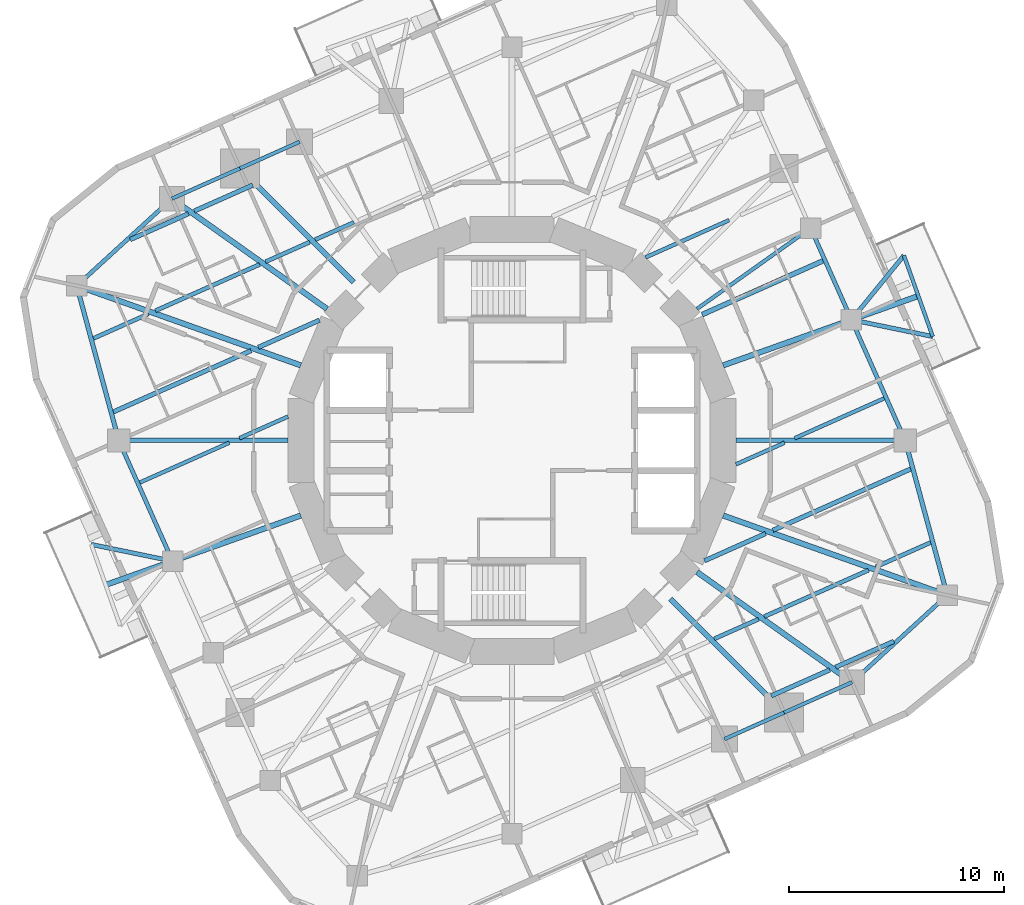
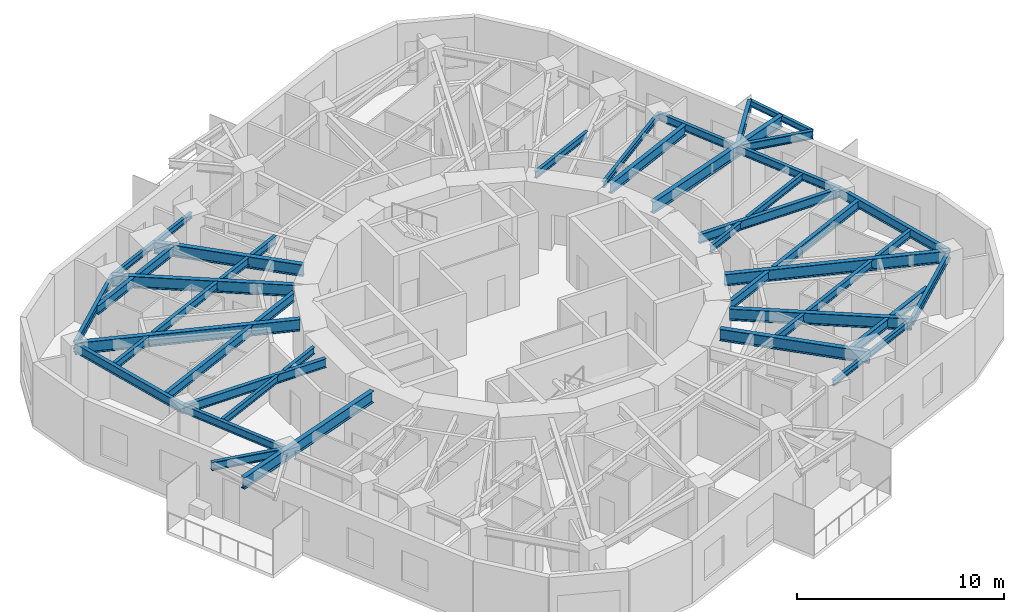
# One storey, part 2 of 12: 47 beams.
"""IFC4 building model written with IfcOpenShell, lengths in metres."""

from ifc_helpers import new_model, si_unit, direction, frame, origin, origin_2d, place, context, subcontext, project, spatial, i_section, extrude, material, material_profile, profile_set, type_object, element, save


model = new_model("IFC4")

# Units and contexts
model_context = context("Model", 3, precision=1e-05, world=origin(), true_north=direction((0.0, 1.0)))
body_context = subcontext(model_context, "Body", "Model", "MODEL_VIEW")
ifc_project = project(units=[si_unit("LENGTHUNIT", "METRE"), si_unit("AREAUNIT", "SQUARE_METRE"), si_unit("VOLUMEUNIT", "CUBIC_METRE"), si_unit("PLANEANGLEUNIT", "RADIAN"), si_unit("MASSUNIT", "GRAM", prefix="KILO")], contexts=[model_context])

# Site, building, storey
site_placement = place(None, origin())
site = spatial("IfcSite", under=ifc_project, at=site_placement, CompositionType="ELEMENT")
building_placement = place(site_placement, origin())
building = spatial("IfcBuilding", under=site, at=building_placement, Name="Nakasero Lantern House", CompositionType="ELEMENT")
storey_placement = place(building_placement, frame((0.0, 0.0, 194.0)))
storey = spatial("IfcBuildingStorey", under=building, at=storey_placement, Name="L47", CompositionType="ELEMENT", Elevation=194.0)

# Beams
ifc_material_1 = material(Name="Steel S355", Category="steel")
ifc_material_profile_1 = material_profile(ifc_material_1, i_section(OverallWidth=0.199462890625, OverallDepth=0.491943359375, WebThickness=0.01806640625, FlangeThickness=0.031982421875, FilletRadius=0.01025390625, at=origin_2d()), Name="UB 457x191x161")
ifc_profile_set_1 = profile_set([ifc_material_profile_1], Name="Steel S355")
beam_type_1 = type_object("IfcBeamType", Name="Balcony splay beam UB 457x191x161", PredefinedType="BEAM", material=ifc_profile_set_1)
beam_1_placement = place(storey_placement, frame((15.781982421875, 5.611328125, 3.404052734375), z_axis=(0.632165712937, 0.774833215206, 0.0), x_axis=(-0.774833215206, 0.632165712937, 0.0)))
element("IfcBeam", 1, at=beam_1_placement, inside=storey, type_object=beam_type_1, Name="Balcony splay beam L48 B5-C04A", PredefinedType="BEAM", context=body_context, shape_type="SweptSolid", body=[
    extrude(i_section(OverallWidth=0.199462890625, OverallDepth=0.491943359375, WebThickness=0.01806640625, FlangeThickness=0.031982421875, FilletRadius=0.01025390625, at=origin_2d()), origin(), (0.0, 0.0, 1.0), 3.85888671875),
])
for number, where, z_axis, x_axis, name in (
    (2, (15.781982421875, 5.611328125, 3.404052734375), (0.979420272605, -0.201831438605, 0.0), (0.201831438605, 0.979420272605, 0.0), "Balcony splay beam L48 B5-C04B"),
    (3, (-15.781982421875, -5.611328125, 3.404052734375), (-0.979420272605, 0.201831438605, 0.0), (-0.201831438605, -0.979420272605, 0.0), "Balcony splay beam L48 B5-C16B"),
):
    element("IfcBeam", number, at=place(storey_placement, frame(where, z_axis=z_axis, x_axis=x_axis)), inside=storey, type_object=beam_type_1, Name=name, PredefinedType="BEAM", context=body_context, shape_type="SweptSolid", body=[
        extrude(i_section(OverallWidth=0.199462890625, OverallDepth=0.491943359375, WebThickness=0.01806640625, FlangeThickness=0.031982421875, FilletRadius=0.01025390625, at=origin_2d()), origin(), (0.0, 0.0, 1.0), 3.858642578125),
    ])
ifc_material_2 = material(Name="Steel S355", Category="steel")
ifc_material_profile_2 = material_profile(ifc_material_2, i_section(OverallWidth=0.17138671875, OverallDepth=0.35498046875, WebThickness=0.00732421875, FlangeThickness=0.011474609375, FilletRadius=0.01025390625, at=origin_2d()), Name="UB 356x171x51")
ifc_profile_set_2 = profile_set([ifc_material_profile_2], Name="Steel S355")
beam_type_2 = type_object("IfcBeamType", Name="Balcony tie beam UB 356x171x51", PredefinedType="BEAM", material=ifc_profile_set_2)
beam_2_placement = place(storey_placement, frame((18.221435546875, 8.601318359375, 3.472412109375), z_axis=(0.334971134582, -0.94222839004, 0.0), x_axis=(0.94222839004, 0.334971134582, 0.0)))
element("IfcBeam", 4, at=beam_2_placement, inside=storey, type_object=beam_type_2, Name="Balcony tie beam L48 B5-C04", PredefinedType="BEAM", context=body_context, shape_type="SweptSolid", body=[
    extrude(i_section(OverallWidth=0.17138671875, OverallDepth=0.35498046875, WebThickness=0.00732421875, FlangeThickness=0.011474609375, FilletRadius=0.01025390625, at=origin_2d()), origin(), (0.0, 0.0, 1.0), 4.0),
])
ifc_material_3 = material(Name="Steel S355", Category="steel")
ifc_material_profile_3 = material_profile(ifc_material_3, i_section(OverallWidth=0.177978515625, OverallDepth=0.406494140625, WebThickness=0.0078125, FlangeThickness=0.0126953125, FilletRadius=0.01025390625, at=origin_2d()), Name="UB 406x178x60")
ifc_profile_set_3 = profile_set([ifc_material_profile_3], Name="Steel S355")
beam_type_3 = type_object("IfcBeamType", Name="Infill beam UB 406x178x60", PredefinedType="JOIST", material=ifc_profile_set_3)
beam_3_placement = place(storey_placement, frame((10.407958984375, -1.113037109375, 3.44677734375), z_axis=(0.913531019811, 0.406769069427, 0.0), x_axis=(-0.406769069427, 0.913531019811, 0.0)))
element("IfcBeam", 5, at=beam_3_placement, inside=storey, type_object=beam_type_3, Name="Infill beam L48 06.3", PredefinedType="JOIST", context=body_context, shape_type="SweptSolid", body=[
    extrude(i_section(OverallWidth=0.177978515625, OverallDepth=0.406494140625, WebThickness=0.0078125, FlangeThickness=0.0126953125, FilletRadius=0.01025390625, at=origin_2d()), origin(), (0.0, 0.0, 1.0), 2.478271484375),
])
for number, where, z_axis, x_axis, name in (
    (6, (13.1435546875, 0.10498046875, 3.44677734375), (0.913537236337, 0.406755107929, 0.0), (-0.406755107929, 0.913537236337, 0.0), "Infill beam L48 06.4"),
    (7, (-17.30419921875, -1.95751953125, 3.44677734375), (0.913537236337, 0.406755107929, 0.0), (-0.406755107929, 0.913537236337, 0.0), "Infill beam L48 09.1"),
):
    element("IfcBeam", number, at=place(storey_placement, frame(where, z_axis=z_axis, x_axis=x_axis)), inside=storey, type_object=beam_type_3, Name=name, PredefinedType="JOIST", context=body_context, shape_type="SweptSolid", body=[
        extrude(i_section(OverallWidth=0.177978515625, OverallDepth=0.406494140625, WebThickness=0.0078125, FlangeThickness=0.0126953125, FilletRadius=0.01025390625, at=origin_2d()), origin(), (0.0, 0.0, 1.0), 4.554443359375),
    ])
beam_4_placement = place(storey_placement, frame((-12.671875, 0.10498046875, 3.44677734375), z_axis=(0.913531019811, 0.406769069427, 0.0), x_axis=(-0.406769069427, 0.913531019811, 0.0)))
element("IfcBeam", 8, at=beam_4_placement, inside=storey, type_object=beam_type_3, Name="Infill beam L48 09.2", PredefinedType="JOIST", context=body_context, shape_type="SweptSolid", body=[
    extrude(i_section(OverallWidth=0.177978515625, OverallDepth=0.406494140625, WebThickness=0.0078125, FlangeThickness=0.0126953125, FilletRadius=0.01025390625, at=origin_2d()), origin(), (0.0, 0.0, 1.0), 2.478271484375),
])
beam_5_placement = place(storey_placement, frame((6.2080078125, 8.5107421875, 3.44677734375), z_axis=(0.91354134882, 0.406745871517, 0.0), x_axis=(-0.406745871517, 0.91354134882, 0.0)))
element("IfcBeam", 9, at=beam_5_placement, inside=storey, type_object=beam_type_3, Name="Infill beam L48 09.3", PredefinedType="JOIST", context=body_context, shape_type="SweptSolid", body=[
    extrude(i_section(OverallWidth=0.177978515625, OverallDepth=0.406494140625, WebThickness=0.0078125, FlangeThickness=0.0126953125, FilletRadius=0.01025390625, at=origin_2d()), origin(), (0.0, 0.0, 1.0), 4.250732421875),
])
ifc_material_4 = material(Name="Steel S355", Category="steel")
ifc_material_profile_4 = material_profile(ifc_material_4, i_section(OverallWidth=0.18994140625, OverallDepth=0.453369140625, WebThickness=0.008544921875, FlangeThickness=0.0126953125, FilletRadius=0.01025390625, at=origin_2d()), Name="UB 457x191x67")
ifc_profile_set_4 = profile_set([ifc_material_profile_4], Name="Steel S355")
beam_type_4 = type_object("IfcBeamType", Name="Infill beam UB 457x191x67", PredefinedType="JOIST", material=ifc_profile_set_4)
beam_6_placement = place(storey_placement, frame((9.403564453125, -9.22265625, 3.42333984375), z_axis=(0.913516376313, 0.406801954529, 0.0), x_axis=(-0.406801954529, 0.913516376313, 0.0)))
element("IfcBeam", 10, at=beam_6_placement, inside=storey, type_object=beam_type_4, Name="Infill beam L48 04.6", PredefinedType="JOIST", context=body_context, shape_type="SweptSolid", body=[
    extrude(i_section(OverallWidth=0.18994140625, OverallDepth=0.453369140625, WebThickness=0.008544921875, FlangeThickness=0.0126953125, FilletRadius=0.01025390625, at=origin_2d()), origin(), (0.0, 0.0, 1.0), 2.2529296875),
])
beam_7_placement = place(storey_placement, frame((11.73095703125, -8.186279296875, 3.42333984375), z_axis=(0.913558956665, 0.406706322421, 0.0), x_axis=(-0.406706322421, 0.913558956665, 0.0)))
element("IfcBeam", 11, at=beam_7_placement, inside=storey, type_object=beam_type_4, Name="Infill beam L48 04.7", PredefinedType="JOIST", context=body_context, shape_type="SweptSolid", body=[
    extrude(i_section(OverallWidth=0.18994140625, OverallDepth=0.453369140625, WebThickness=0.008544921875, FlangeThickness=0.0126953125, FilletRadius=0.01025390625, at=origin_2d()), origin(), (0.0, 0.0, 1.0), 5.3046875),
])
beam_8_placement = place(storey_placement, frame((16.913330078125, -5.87890625, 3.42333984375), z_axis=(0.913544199752, 0.406739468332, 0.0), x_axis=(-0.406739468332, 0.913544199752, 0.0)))
element("IfcBeam", 12, at=beam_8_placement, inside=storey, type_object=beam_type_4, Name="Infill beam L48 04.8", PredefinedType="JOIST", context=body_context, shape_type="SweptSolid", body=[
    extrude(i_section(OverallWidth=0.18994140625, OverallDepth=0.453369140625, WebThickness=0.008544921875, FlangeThickness=0.0126953125, FilletRadius=0.01025390625, at=origin_2d()), origin(), (0.0, 0.0, 1.0), 2.788818359375),
])
beam_9_placement = place(storey_placement, frame((-19.46142578125, 4.744384765625, 3.42333984375), z_axis=(0.913540637242, 0.4067474697, 0.0), x_axis=(-0.4067474697, 0.913540637242, 0.0)))
element("IfcBeam", 13, at=beam_9_placement, inside=storey, type_object=beam_type_4, Name="Infill beam L48 11.1", PredefinedType="JOIST", context=body_context, shape_type="SweptSolid", body=[
    extrude(i_section(OverallWidth=0.18994140625, OverallDepth=0.453369140625, WebThickness=0.008544921875, FlangeThickness=0.0126953125, FilletRadius=0.01025390625, at=origin_2d()), origin(), (0.0, 0.0, 1.0), 2.789306640625),
])
beam_10_placement = place(storey_placement, frame((-16.5771484375, 6.02880859375, 3.42333984375), z_axis=(0.913558956665, 0.406706322421, 0.0), x_axis=(-0.406706322421, 0.913558956665, 0.0)))
element("IfcBeam", 14, at=beam_10_placement, inside=storey, type_object=beam_type_4, Name="Infill beam L48 11.2", PredefinedType="JOIST", context=body_context, shape_type="SweptSolid", body=[
    extrude(i_section(OverallWidth=0.18994140625, OverallDepth=0.453369140625, WebThickness=0.008544921875, FlangeThickness=0.0126953125, FilletRadius=0.01025390625, at=origin_2d()), origin(), (0.0, 0.0, 1.0), 5.3046875),
])
beam_11_placement = place(storey_placement, frame((-11.461669921875, 8.30615234375, 3.42333984375), z_axis=(0.913516376313, 0.406801954529, 0.0), x_axis=(-0.406801954529, 0.913516376313, 0.0)))
element("IfcBeam", 15, at=beam_11_placement, inside=storey, type_object=beam_type_4, Name="Infill beam L48 11.3", PredefinedType="JOIST", context=body_context, shape_type="SweptSolid", body=[
    extrude(i_section(OverallWidth=0.18994140625, OverallDepth=0.453369140625, WebThickness=0.008544921875, FlangeThickness=0.0126953125, FilletRadius=0.01025390625, at=origin_2d()), origin(), (0.0, 0.0, 1.0), 2.2529296875),
])
beam_12_placement = place(storey_placement, frame((-9.153076171875, 9.333984375, 3.42333984375), z_axis=(0.913536028639, 0.406757820304, 0.0), x_axis=(-0.406757820304, 0.913536028639, 0.0)))
element("IfcBeam", 16, at=beam_12_placement, inside=storey, type_object=beam_type_4, Name="Infill beam L48 11.4", PredefinedType="JOIST", context=body_context, shape_type="SweptSolid", body=[
    extrude(i_section(OverallWidth=0.18994140625, OverallDepth=0.453369140625, WebThickness=0.008544921875, FlangeThickness=0.0126953125, FilletRadius=0.01025390625, at=origin_2d()), origin(), (0.0, 0.0, 1.0), 1.974609375),
])
ifc_material_5 = material(Name="Steel S355", Category="steel")
ifc_material_profile_5 = material_profile(ifc_material_5, i_section(OverallWidth=0.2099609375, OverallDepth=0.53662109375, WebThickness=0.0107421875, FlangeThickness=0.017333984375, FilletRadius=0.0126953125, at=origin_2d()), Name="UB 533x210x101")
ifc_profile_set_5 = profile_set([ifc_material_profile_5], Name="Steel S355")
beam_type_5 = type_object("IfcBeamType", Name="Infill beam UB 533x210x101", PredefinedType="JOIST", material=ifc_profile_set_5)
beam_13_placement = place(storey_placement, frame((12.054443359375, -11.87353515625, 3.381591796875), z_axis=(0.913551039628, 0.406724105501, 0.0), x_axis=(-0.406724105501, 0.913551039628, 0.0)))
element("IfcBeam", 17, at=beam_13_placement, inside=storey, type_object=beam_type_5, Name="Infill beam L48 03.2", PredefinedType="JOIST", context=body_context, shape_type="SweptSolid", body=[
    extrude(i_section(OverallWidth=0.2099609375, OverallDepth=0.53662109375, WebThickness=0.0107421875, FlangeThickness=0.017333984375, FilletRadius=0.0126953125, at=origin_2d()), origin(), (0.0, 0.0, 1.0), 2.977783203125),
])
for number, where, z_axis, x_axis, name in (
    (18, (15.044189453125, -10.54248046875, 3.381591796875), (0.91353278913, 0.406765095827, 0.0), (-0.406765095827, 0.91353278913, 0.0), "Infill beam L48 03.3"),
    (19, (-17.751708984375, 9.3369140625, 3.381591796875), (0.91353278913, 0.406765095827, 0.0), (-0.406765095827, 0.91353278913, 0.0), "Infill beam L48 12.1"),
):
    element("IfcBeam", number, at=place(storey_placement, frame(where, z_axis=z_axis, x_axis=x_axis)), inside=storey, type_object=beam_type_5, Name=name, PredefinedType="JOIST", context=body_context, shape_type="SweptSolid", body=[
        extrude(i_section(OverallWidth=0.2099609375, OverallDepth=0.53662109375, WebThickness=0.0107421875, FlangeThickness=0.017333984375, FilletRadius=0.0126953125, at=origin_2d()), origin(), (0.0, 0.0, 1.0), 2.9638671875),
    ])
beam_14_placement = place(storey_placement, frame((-14.77490234375, 10.662353515625, 3.381591796875), z_axis=(0.913551039628, 0.406724105501, 0.0), x_axis=(-0.406724105501, 0.913551039628, 0.0)))
element("IfcBeam", 20, at=beam_14_placement, inside=storey, type_object=beam_type_5, Name="Infill beam L48 12.2", PredefinedType="JOIST", context=body_context, shape_type="SweptSolid", body=[
    extrude(i_section(OverallWidth=0.2099609375, OverallDepth=0.53662109375, WebThickness=0.0107421875, FlangeThickness=0.017333984375, FilletRadius=0.0126953125, at=origin_2d()), origin(), (0.0, 0.0, 1.0), 2.977783203125),
])
ifc_material_6 = material(Name="Steel S355", Category="steel")
ifc_material_profile_6 = material_profile(ifc_material_6, i_section(OverallWidth=0.208740234375, OverallDepth=0.5283203125, WebThickness=0.009521484375, FlangeThickness=0.01318359375, FilletRadius=0.0126953125, at=origin_2d()), Name="UB 533x210x82")
ifc_profile_set_6 = profile_set([ifc_material_profile_6], Name="Steel S355")
beam_type_6 = type_object("IfcBeamType", Name="Infill beam UB 533x210x82", PredefinedType="JOIST", material=ifc_profile_set_6)
beam_15_placement = place(storey_placement, frame((8.9482421875, -5.593994140625, 3.3857421875), z_axis=(0.913555928833, 0.406713123582, 0.0), x_axis=(-0.406713123582, 0.913555928833, 0.0)))
element("IfcBeam", 21, at=beam_15_placement, inside=storey, type_object=beam_type_6, Name="Infill beam L48 05.4", PredefinedType="JOIST", context=body_context, shape_type="SweptSolid", body=[
    extrude(i_section(OverallWidth=0.208740234375, OverallDepth=0.5283203125, WebThickness=0.009521484375, FlangeThickness=0.01318359375, FilletRadius=0.0126953125, at=origin_2d()), origin(), (0.0, 0.0, 1.0), 3.113525390625),
])
beam_16_placement = place(storey_placement, frame((12.12890625, -4.177978515625, 3.3857421875), z_axis=(0.913538442343, 0.406752399332, 0.0), x_axis=(-0.406752399332, 0.913538442343, 0.0)))
element("IfcBeam", 22, at=beam_16_placement, inside=storey, type_object=beam_type_6, Name="Infill beam L48 05.5", PredefinedType="JOIST", context=body_context, shape_type="SweptSolid", body=[
    extrude(i_section(OverallWidth=0.208740234375, OverallDepth=0.5283203125, WebThickness=0.009521484375, FlangeThickness=0.01318359375, FilletRadius=0.0126953125, at=origin_2d()), origin(), (0.0, 0.0, 1.0), 7.00927734375),
])
beam_17_placement = place(storey_placement, frame((-18.53271484375, 1.32666015625, 3.3857421875), z_axis=(0.913537025225, 0.406755582067, 0.0), x_axis=(-0.406755582067, 0.913537025225, 0.0)))
element("IfcBeam", 23, at=beam_17_placement, inside=storey, type_object=beam_type_6, Name="Infill beam L48 10.1", PredefinedType="JOIST", context=body_context, shape_type="SweptSolid", body=[
    extrude(i_section(OverallWidth=0.208740234375, OverallDepth=0.5283203125, WebThickness=0.009521484375, FlangeThickness=0.01318359375, FilletRadius=0.0126953125, at=origin_2d()), origin(), (0.0, 0.0, 1.0), 7.010009765625),
])
beam_18_placement = place(storey_placement, frame((-11.792724609375, 4.32763671875, 3.3857421875), z_axis=(0.913555928833, 0.406713123582, 0.0), x_axis=(-0.406713123582, 0.913555928833, 0.0)))
element("IfcBeam", 24, at=beam_18_placement, inside=storey, type_object=beam_type_6, Name="Infill beam L48 10.2", PredefinedType="JOIST", context=body_context, shape_type="SweptSolid", body=[
    extrude(i_section(OverallWidth=0.208740234375, OverallDepth=0.5283203125, WebThickness=0.009521484375, FlangeThickness=0.01318359375, FilletRadius=0.0126953125, at=origin_2d()), origin(), (0.0, 0.0, 1.0), 3.113525390625),
])
ifc_material_7 = material(Name="Steel S355", Category="steel")
ifc_material_profile_7 = material_profile(ifc_material_7, i_section(OverallWidth=0.22900390625, OverallDepth=0.6123046875, WebThickness=0.011962890625, FlangeThickness=0.01953125, FilletRadius=0.0126953125, at=origin_2d()), Name="UB 610x229x125")
ifc_profile_set_7 = profile_set([ifc_material_profile_7], Name="Steel S355")
beam_type_7 = type_object("IfcBeamType", Name="Infill beam UB 610x229x125", PredefinedType="JOIST", material=ifc_profile_set_7)
beam_19_placement = place(storey_placement, frame((8.84130859375, 5.85205078125, 3.343994140625), z_axis=(0.913552627294, 0.406720539393, 0.0), x_axis=(-0.406720539393, 0.913552627294, 0.0)))
element("IfcBeam", 25, at=beam_19_placement, inside=storey, type_object=beam_type_7, Name="Infill beam L48 08.1", PredefinedType="JOIST", context=body_context, shape_type="SweptSolid", body=[
    extrude(i_section(OverallWidth=0.22900390625, OverallDepth=0.6123046875, WebThickness=0.011962890625, FlangeThickness=0.01953125, FilletRadius=0.0126953125, at=origin_2d()), origin(), (0.0, 0.0, 1.0), 6.14794921875),
])
ifc_material_8 = material(Name="Steel S355", Category="steel")
ifc_material_profile_8 = material_profile(ifc_material_8, i_section(OverallWidth=0.17138671875, OverallDepth=0.35498046875, WebThickness=0.00732421875, FlangeThickness=0.011474609375, FilletRadius=0.01025390625, at=origin_2d()), Name="UB 356x171x51")
ifc_profile_set_8 = profile_set([ifc_material_profile_8], Name="Steel S355")
beam_type_8 = type_object("IfcBeamType", Name="Primary beam UB 356x171x51, span 6 to 9 m", PredefinedType="BEAM", material=ifc_profile_set_8)
beam_20_placement = place(storey_placement, frame((13.884521484375, 9.87353515625, 3.472412109375), z_axis=(-0.8149430702, -0.57954101868, 0.0), x_axis=(0.57954101868, -0.8149430702, 0.0)))
element("IfcBeam", 26, at=beam_20_placement, inside=storey, type_object=beam_type_8, Name="Primary beam L48 B5-C05", PredefinedType="BEAM", context=body_context, shape_type="SweptSolid", body=[
    extrude(i_section(OverallWidth=0.17138671875, OverallDepth=0.35498046875, WebThickness=0.00732421875, FlangeThickness=0.011474609375, FilletRadius=0.01025390625, at=origin_2d()), origin(), (0.0, 0.0, 1.0), 6.48193359375),
])
ifc_material_9 = material(Name="Steel S355", Category="steel")
ifc_material_profile_9 = material_profile(ifc_material_9, i_section(OverallWidth=0.2099609375, OverallDepth=0.53662109375, WebThickness=0.0107421875, FlangeThickness=0.017333984375, FilletRadius=0.0126953125, at=origin_2d()), Name="UB 533x210x101")
ifc_profile_set_9 = profile_set([ifc_material_profile_9], Name="Steel S355")
beam_type_9 = type_object("IfcBeamType", Name="Primary beam UB 533x210x101, span 6 to 9 m", PredefinedType="BEAM", material=ifc_profile_set_9)
for number, where, z_axis, x_axis, name in (
    (27, (18.280517578125, 0.0, 3.381591796875), (-1.0, 0.0, 0.0), (0.0, -1.0, 0.0), "Primary beam L48 B5-C03"),
    (28, (-18.280517578125, 0.0, 3.381591796875), (1.0, 0.0, 0.0), (0.0, 1.0, 0.0), "Primary beam L48 B5-C15"),
):
    element("IfcBeam", number, at=place(storey_placement, frame(where, z_axis=z_axis, x_axis=x_axis)), inside=storey, type_object=beam_type_9, Name=name, PredefinedType="BEAM", context=body_context, shape_type="SweptSolid", body=[
        extrude(i_section(OverallWidth=0.2099609375, OverallDepth=0.53662109375, WebThickness=0.0107421875, FlangeThickness=0.017333984375, FilletRadius=0.0126953125, at=origin_2d()), origin(), (0.0, 0.0, 1.0), 7.87255859375),
    ])
ifc_material_10 = material(Name="Steel S355", Category="steel")
ifc_material_profile_10 = material_profile(ifc_material_10, i_section(OverallWidth=0.253662109375, OverallDepth=0.68359375, WebThickness=0.012451171875, FlangeThickness=0.01904296875, FilletRadius=0.01513671875, at=origin_2d()), Name="UB 686x254x140")
ifc_profile_set_10 = profile_set([ifc_material_profile_10], Name="Steel S355")
beam_type_10 = type_object("IfcBeamType", Name="Primary beam UB 686x254x140, span 6 to 9 m", PredefinedType="BEAM", material=ifc_profile_set_10)
beam_21_placement = place(storey_placement, frame((15.808837890625, -11.241943359375, 3.308349609375), z_axis=(-0.814946052543, 0.579536824926, 0.0), x_axis=(-0.579536824926, -0.814946052543, 0.0)))
element("IfcBeam", 29, at=beam_21_placement, inside=storey, type_object=beam_type_10, Name="Primary beam L48 B5-C01", PredefinedType="BEAM", context=body_context, shape_type="SweptSolid", body=[
    extrude(i_section(OverallWidth=0.253662109375, OverallDepth=0.68359375, WebThickness=0.012451171875, FlangeThickness=0.01904296875, FilletRadius=0.01513671875, at=origin_2d()), origin(), (0.0, 0.0, 1.0), 8.84326171875),
])
beam_22_placement = place(storey_placement, frame((18.891357421875, 6.717041015625, 3.308349609375), z_axis=(-0.942207397814, -0.335030177005, 0.0), x_axis=(0.335030177005, -0.942207397814, 0.0)))
element("IfcBeam", 30, at=beam_22_placement, inside=storey, type_object=beam_type_10, Name="Primary beam L48 B5-C04", PredefinedType="BEAM", context=body_context, shape_type="SweptSolid", body=[
    extrude(i_section(OverallWidth=0.253662109375, OverallDepth=0.68359375, WebThickness=0.012451171875, FlangeThickness=0.01904296875, FilletRadius=0.01513671875, at=origin_2d()), origin(), (0.0, 0.0, 1.0), 9.62841796875),
])
beam_23_placement = place(storey_placement, frame((-15.808837890625, 11.241943359375, 3.308349609375), z_axis=(0.814946052543, -0.579536824926, 0.0), x_axis=(0.579536824926, 0.814946052543, 0.0)))
element("IfcBeam", 31, at=beam_23_placement, inside=storey, type_object=beam_type_10, Name="Primary beam L48 B5-C13", PredefinedType="BEAM", context=body_context, shape_type="SweptSolid", body=[
    extrude(i_section(OverallWidth=0.253662109375, OverallDepth=0.68359375, WebThickness=0.012451171875, FlangeThickness=0.01904296875, FilletRadius=0.01513671875, at=origin_2d()), origin(), (0.0, 0.0, 1.0), 8.84326171875),
])
beam_24_placement = place(storey_placement, frame((-18.891357421875, -6.717041015625, 3.308349609375), z_axis=(0.942207397814, 0.335030177005, 0.0), x_axis=(-0.335030177005, 0.942207397814, 0.0)))
element("IfcBeam", 32, at=beam_24_placement, inside=storey, type_object=beam_type_10, Name="Primary beam L48 B5-C16", PredefinedType="BEAM", context=body_context, shape_type="SweptSolid", body=[
    extrude(i_section(OverallWidth=0.253662109375, OverallDepth=0.68359375, WebThickness=0.012451171875, FlangeThickness=0.01904296875, FilletRadius=0.01513671875, at=origin_2d()), origin(), (0.0, 0.0, 1.0), 9.62841796875),
])
ifc_material_11 = material(Name="Steel S355", Category="steel")
ifc_material_profile_11 = material_profile(ifc_material_11, i_section(OverallWidth=0.253662109375, OverallDepth=0.68359375, WebThickness=0.012451171875, FlangeThickness=0.01904296875, FilletRadius=0.01513671875, at=origin_2d()), Name="UB 686x254x140")
ifc_profile_set_11 = profile_set([ifc_material_profile_11], Name="Steel S355")
beam_type_11 = type_object("IfcBeamType", Name="Primary beam UB 686x254x140, span 9 to 12 m", PredefinedType="BEAM", material=ifc_profile_set_11)
for number, where, z_axis, x_axis, name in (
    (33, (20.2353515625, -7.19482421875, 3.308349609375), (-0.942210662535, 0.335020995468, 0.0), (-0.335020995468, -0.942210662535, 0.0), "Primary beam L48 B5-C02"),
    (34, (-20.2353515625, 7.19482421875, 3.308349609375), (0.942210662535, -0.335020995468, 0.0), (0.335020995468, 0.942210662535, 0.0), "Primary beam L48 B5-C14"),
):
    element("IfcBeam", number, at=place(storey_placement, frame(where, z_axis=z_axis, x_axis=x_axis)), inside=storey, type_object=beam_type_11, Name=name, PredefinedType="BEAM", context=body_context, shape_type="SweptSolid", body=[
        extrude(i_section(OverallWidth=0.253662109375, OverallDepth=0.68359375, WebThickness=0.012451171875, FlangeThickness=0.01904296875, FilletRadius=0.01513671875, at=origin_2d()), origin(), (0.0, 0.0, 1.0), 11.054931640625),
    ])
ifc_material_12 = material(Name="Steel S355", Category="steel")
ifc_material_profile_12 = material_profile(ifc_material_12, i_section(OverallWidth=0.255859375, OverallDepth=0.69287109375, WebThickness=0.014404296875, FlangeThickness=0.023681640625, FilletRadius=0.01513671875, at=origin_2d()), Name="UB 686x254x170")
ifc_profile_set_12 = profile_set([ifc_material_profile_12], Name="Steel S355")
beam_type_12 = type_object("IfcBeamType", Name="Primary beam UB 686x254x170, span 6 to 9 m", PredefinedType="BEAM", material=ifc_profile_set_12)
for number, where, z_axis, x_axis, name in (
    (35, (-12.64892578125, 12.64892578125, 3.303466796875), (0.707106781187, -0.707106781187, 0.0), (0.707106781187, 0.707106781187, 0.0), "Primary beam L48 B5-C12"),
    (36, (12.64892578125, -12.64892578125, 3.303466796875), (-0.707106781187, 0.707106781187, 0.0), (-0.707106781187, -0.707106781187, 0.0), "Primary beam L48 B5-C24"),
):
    element("IfcBeam", number, at=place(storey_placement, frame(where, z_axis=z_axis, x_axis=x_axis)), inside=storey, type_object=beam_type_12, Name=name, PredefinedType="BEAM", context=body_context, shape_type="SweptSolid", body=[
        extrude(i_section(OverallWidth=0.255859375, OverallDepth=0.69287109375, WebThickness=0.014404296875, FlangeThickness=0.023681640625, FilletRadius=0.01513671875, at=origin_2d()), origin(), (0.0, 0.0, 1.0), 7.48046875),
    ])
ifc_material_13 = material(Name="Steel S355", Category="steel")
ifc_material_profile_13 = material_profile(ifc_material_13, i_section(OverallWidth=0.17138671875, OverallDepth=0.35498046875, WebThickness=0.00732421875, FlangeThickness=0.011474609375, FilletRadius=0.01025390625, at=origin_2d()), Name="UB 356x171x51")
ifc_profile_set_13 = profile_set([ifc_material_profile_13], Name="Steel S355")
beam_type_13 = type_object("IfcBeamType", Name="Ring beam UB 356x171x51", PredefinedType="BEAM", material=ifc_profile_set_13)
beam_25_placement = place(storey_placement, frame((-9.87353515625, 13.884521484375, 3.472412109375), z_axis=(-0.913556197925, -0.40671251915, 0.0), x_axis=(0.40671251915, -0.913556197925, 0.0)))
element("IfcBeam", 37, at=beam_25_placement, inside=storey, type_object=beam_type_13, Name="Ring beam L48 B5-C11", PredefinedType="BEAM", context=body_context, shape_type="SweptSolid", body=[
    extrude(i_section(OverallWidth=0.17138671875, OverallDepth=0.35498046875, WebThickness=0.00732421875, FlangeThickness=0.011474609375, FilletRadius=0.01025390625, at=origin_2d()), origin(), (0.0, 0.0, 1.0), 3.0380859375),
])
beam_26_placement = place(storey_placement, frame((-12.64892578125, 12.64892578125, 3.472412109375), z_axis=(-0.913534832457, -0.406760506795, 0.0), x_axis=(0.406760506795, -0.913534832457, 0.0)))
element("IfcBeam", 38, at=beam_26_placement, inside=storey, type_object=beam_type_13, Name="Ring beam L48 B5-C12", PredefinedType="BEAM", context=body_context, shape_type="SweptSolid", body=[
    extrude(i_section(OverallWidth=0.17138671875, OverallDepth=0.35498046875, WebThickness=0.00732421875, FlangeThickness=0.011474609375, FilletRadius=0.01025390625, at=origin_2d()), origin(), (0.0, 0.0, 1.0), 3.458984375),
])
beam_27_placement = place(storey_placement, frame((9.87353515625, -13.884521484375, 3.472412109375), z_axis=(0.913556197925, 0.40671251915, 0.0), x_axis=(-0.40671251915, 0.913556197925, 0.0)))
element("IfcBeam", 39, at=beam_27_placement, inside=storey, type_object=beam_type_13, Name="Ring beam L48 B5-C23", PredefinedType="BEAM", context=body_context, shape_type="SweptSolid", body=[
    extrude(i_section(OverallWidth=0.17138671875, OverallDepth=0.35498046875, WebThickness=0.00732421875, FlangeThickness=0.011474609375, FilletRadius=0.01025390625, at=origin_2d()), origin(), (0.0, 0.0, 1.0), 3.0380859375),
])
beam_28_placement = place(storey_placement, frame((12.64892578125, -12.64892578125, 3.472412109375), z_axis=(0.913534832457, 0.406760506795, 0.0), x_axis=(-0.406760506795, 0.913534832457, 0.0)))
element("IfcBeam", 40, at=beam_28_placement, inside=storey, type_object=beam_type_13, Name="Ring beam L48 B5-C24", PredefinedType="BEAM", context=body_context, shape_type="SweptSolid", body=[
    extrude(i_section(OverallWidth=0.17138671875, OverallDepth=0.35498046875, WebThickness=0.00732421875, FlangeThickness=0.011474609375, FilletRadius=0.01025390625, at=origin_2d()), origin(), (0.0, 0.0, 1.0), 3.458984375),
])
ifc_material_14 = material(Name="Steel S355", Category="steel")
ifc_material_profile_14 = material_profile(ifc_material_14, i_section(OverallWidth=0.18994140625, OverallDepth=0.453369140625, WebThickness=0.008544921875, FlangeThickness=0.0126953125, FilletRadius=0.01025390625, at=origin_2d()), Name="UB 457x191x67")
ifc_profile_set_14 = profile_set([ifc_material_profile_14], Name="Steel S355")
beam_type_14 = type_object("IfcBeamType", Name="Ring beam UB 457x191x67", PredefinedType="BEAM", material=ifc_profile_set_14)
beam_29_placement = place(storey_placement, frame((15.808837890625, -11.241943359375, 3.42333984375), z_axis=(0.73802707447, 0.674771099966, 0.0), x_axis=(-0.674771099966, 0.73802707447, 0.0)))
element("IfcBeam", 41, at=beam_29_placement, inside=storey, type_object=beam_type_14, Name="Ring beam L48 B5-C01", PredefinedType="BEAM", context=body_context, shape_type="SweptSolid", body=[
    extrude(i_section(OverallWidth=0.18994140625, OverallDepth=0.453369140625, WebThickness=0.008544921875, FlangeThickness=0.0126953125, FilletRadius=0.01025390625, at=origin_2d()), origin(), (0.0, 0.0, 1.0), 5.997802734375),
])
beam_30_placement = place(storey_placement, frame((15.781982421875, 5.611328125, 3.42333984375), z_axis=(-0.406701600856, 0.913561058639, 0.0), x_axis=(-0.913561058639, -0.406701600856, 0.0)))
element("IfcBeam", 42, at=beam_30_placement, inside=storey, type_object=beam_type_14, Name="Ring beam L48 B5-C04", PredefinedType="BEAM", context=body_context, shape_type="SweptSolid", body=[
    extrude(i_section(OverallWidth=0.18994140625, OverallDepth=0.453369140625, WebThickness=0.008544921875, FlangeThickness=0.0126953125, FilletRadius=0.01025390625, at=origin_2d()), origin(), (0.0, 0.0, 1.0), 4.66552734375),
])
beam_31_placement = place(storey_placement, frame((-15.808837890625, 11.241943359375, 3.42333984375), z_axis=(-0.73802707447, -0.674771099966, 0.0), x_axis=(0.674771099966, -0.73802707447, 0.0)))
element("IfcBeam", 43, at=beam_31_placement, inside=storey, type_object=beam_type_14, Name="Ring beam L48 B5-C13", PredefinedType="BEAM", context=body_context, shape_type="SweptSolid", body=[
    extrude(i_section(OverallWidth=0.18994140625, OverallDepth=0.453369140625, WebThickness=0.008544921875, FlangeThickness=0.0126953125, FilletRadius=0.01025390625, at=origin_2d()), origin(), (0.0, 0.0, 1.0), 5.997802734375),
])
ifc_material_15 = material(Name="Steel S355", Category="steel")
ifc_material_profile_15 = material_profile(ifc_material_15, i_section(OverallWidth=0.19140625, OverallDepth=0.4599609375, WebThickness=0.010009765625, FlangeThickness=0.01611328125, FilletRadius=0.01025390625, at=origin_2d()), Name="UB 457x191x82")
ifc_profile_set_15 = profile_set([ifc_material_profile_15], Name="Steel S355")
beam_type_15 = type_object("IfcBeamType", Name="Ring beam UB 457x191x82", PredefinedType="BEAM", material=ifc_profile_set_15)
for number, where, z_axis, x_axis, name in (
    (44, (18.280517578125, 0.0, 3.419921875), (-0.406765299215, 0.913532698569, 0.0), (-0.913532698569, -0.406765299215, 0.0), "Ring beam L48 B5-C03"),
    (45, (-18.280517578125, 0.0, 3.419921875), (0.406765299215, -0.913532698569, 0.0), (0.913532698569, 0.406765299215, 0.0), "Ring beam L48 B5-C15"),
):
    element("IfcBeam", number, at=place(storey_placement, frame(where, z_axis=z_axis, x_axis=x_axis)), inside=storey, type_object=beam_type_15, Name=name, PredefinedType="BEAM", context=body_context, shape_type="SweptSolid", body=[
        extrude(i_section(OverallWidth=0.19140625, OverallDepth=0.4599609375, WebThickness=0.010009765625, FlangeThickness=0.01611328125, FilletRadius=0.01025390625, at=origin_2d()), origin(), (0.0, 0.0, 1.0), 6.142333984375),
    ])
ifc_material_16 = material(Name="Steel S355", Category="steel")
ifc_material_profile_16 = material_profile(ifc_material_16, i_section(OverallWidth=0.2099609375, OverallDepth=0.53662109375, WebThickness=0.0107421875, FlangeThickness=0.017333984375, FilletRadius=0.0126953125, at=origin_2d()), Name="UB 533x210x101")
ifc_profile_set_16 = profile_set([ifc_material_profile_16], Name="Steel S355")
beam_type_16 = type_object("IfcBeamType", Name="Ring beam UB 533x210x101", PredefinedType="BEAM", material=ifc_profile_set_16)
beam_32_placement = place(storey_placement, frame((20.2353515625, -7.19482421875, 3.381591796875), z_axis=(-0.26219461312, 0.965015017941, 0.0), x_axis=(-0.965015017941, -0.26219461312, 0.0)))
element("IfcBeam", 46, at=beam_32_placement, inside=storey, type_object=beam_type_16, Name="Ring beam L48 B5-C02", PredefinedType="BEAM", context=body_context, shape_type="SweptSolid", body=[
    extrude(i_section(OverallWidth=0.2099609375, OverallDepth=0.53662109375, WebThickness=0.0107421875, FlangeThickness=0.017333984375, FilletRadius=0.0126953125, at=origin_2d()), origin(), (0.0, 0.0, 1.0), 7.45556640625),
])
ifc_material_17 = material(Name="Steel S355", Category="steel")
ifc_material_profile_17 = material_profile(ifc_material_17, i_section(OverallWidth=0.208740234375, OverallDepth=0.5283203125, WebThickness=0.009521484375, FlangeThickness=0.01318359375, FilletRadius=0.0126953125, at=origin_2d()), Name="UB 533x210x82")
ifc_profile_set_17 = profile_set([ifc_material_profile_17], Name="Steel S355")
beam_type_17 = type_object("IfcBeamType", Name="Ring beam UB 533x210x82", PredefinedType="BEAM", material=ifc_profile_set_17)
beam_33_placement = place(storey_placement, frame((-20.2353515625, 7.19482421875, 3.3857421875), z_axis=(0.26219461312, -0.965015017941, 0.0), x_axis=(0.965015017941, 0.26219461312, 0.0)))
element("IfcBeam", 47, at=beam_33_placement, inside=storey, type_object=beam_type_17, Name="Ring beam L48 B5-C14", PredefinedType="BEAM", context=body_context, shape_type="SweptSolid", body=[
    extrude(i_section(OverallWidth=0.208740234375, OverallDepth=0.5283203125, WebThickness=0.009521484375, FlangeThickness=0.01318359375, FilletRadius=0.0126953125, at=origin_2d()), origin(), (0.0, 0.0, 1.0), 7.45556640625),
])

save(model, "model.ifc")
